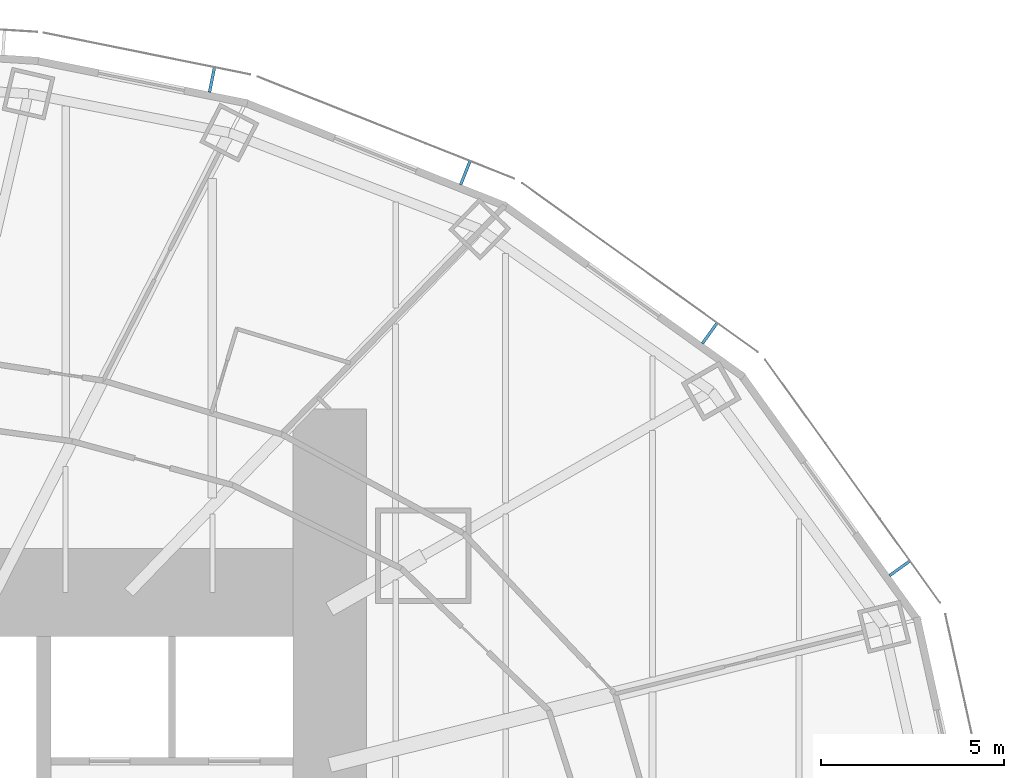
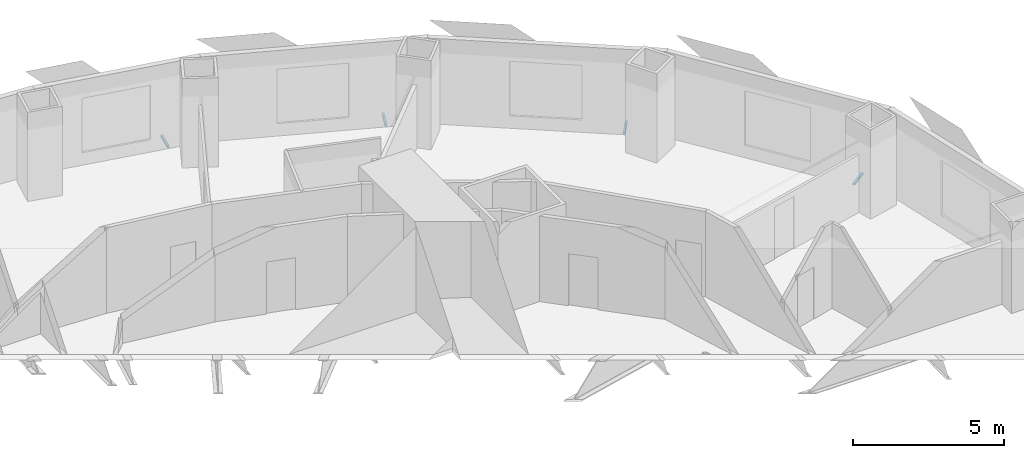
# One storey, part 12 of 15: 4 discrete accessories.
"""IFC4 building model written with IfcOpenShell, lengths in metres."""

import ifcopenshell
import ifcopenshell.guid

model = None  # the IFC model being written
_history = None  # IfcOwnerHistory: only IFC2X3 demands one
_inside = {}  # id of a spatial element -> (the spatial element, [elements in it])
_under = {}  # id of a project, library or spatial element -> (it, [spatial elements below it])
_declared = {}  # id of a project -> (the project, [libraries it declares])
_typed = {}  # id of a type object -> (the type object, [elements of that type])
_made_of = {}  # id of a material, layer set ... -> (it, [elements and type objects made of it])


def new_model(schema):
    """Start an empty IFC model of exactly this schema.

    Asked for "IFC4X3", IfcOpenShell would pick the latest addendum, in which some entities
    have other attributes; the version numbers below select the first issue.
    IFC2X3 requires an IfcOwnerHistory on every rooted entity: one is made here for all.
    """
    global model, _history
    if schema == "IFC4X3":
        model = ifcopenshell.file(schema_version=(4, 3, 0, 0))
    else:
        model = ifcopenshell.file(schema=schema)
    _inside.clear()
    _under.clear()
    _declared.clear()
    _typed.clear()
    _made_of.clear()
    _history = None
    if model.schema == "IFC2X3":
        org = make("IfcOrganization", Name="unknown")
        user = make(
            "IfcPersonAndOrganization",
            ThePerson=make("IfcPerson", FamilyName="unknown"),
            TheOrganization=org,
        )
        app = make(
            "IfcApplication",
            ApplicationDeveloper=org,
            Version="unknown",
            ApplicationFullName="unknown",
            ApplicationIdentifier="unknown",
        )
        _history = make(
            "IfcOwnerHistory",
            OwningUser=user,
            OwningApplication=app,
            ChangeAction="ADDED",
            CreationDate=0,
        )
    return model


def make(cls, **values):
    """One entity of the class cls with the attributes given. An attribute that is None is left unset."""
    return model.create_entity(
        cls, **{name: value for name, value in values.items() if value is not None}
    )


def rooted(cls, **values):
    """An entity with a GlobalId (a new one), such as an element, a storey or a relation."""
    return make(cls, GlobalId=ifcopenshell.guid.new(), OwnerHistory=_history, **values)


def si_unit(unit_type, name, prefix=None):
    """IfcSIUnit, for example si_unit("LENGTHUNIT", "METRE", prefix="MILLI")."""
    return make("IfcSIUnit", UnitType=unit_type, Prefix=prefix, Name=name)


def assignment(units):
    """IfcUnitAssignment: the units of a project."""
    return None if units is None else make("IfcUnitAssignment", Units=units)


def point(xyz):
    """IfcCartesianPoint."""
    return None if xyz is None else make("IfcCartesianPoint", Coordinates=xyz)


def direction(xyz):
    """IfcDirection."""
    return None if xyz is None else make("IfcDirection", DirectionRatios=xyz)


def frame(location, z_axis=None, x_axis=None):
    """IfcAxis2Placement3D, a coordinate frame: its origin and axes. An axis left out is left unset."""
    return make(
        "IfcAxis2Placement3D",
        Location=point(location),
        Axis=direction(z_axis),
        RefDirection=direction(x_axis),
    )


def frame_2d(location, x_axis=None):
    """IfcAxis2Placement2D, a coordinate frame in the plane: its origin and x axis."""
    return make(
        "IfcAxis2Placement2D", Location=point(location), RefDirection=direction(x_axis)
    )


def origin():
    """The frame at (0, 0, 0) with its axes left unset."""
    return frame((0.0, 0.0, 0.0))


def origin_2d():
    """The frame at (0, 0) in the plane with its x axis left unset."""
    return frame_2d((0.0, 0.0))


def place(relative_to, where):
    """IfcLocalPlacement: puts the frame where relative to a parent placement (None: the world)."""
    return make(
        "IfcLocalPlacement", PlacementRelTo=relative_to, RelativePlacement=where
    )


def context(
    kind, dimensions, precision=None, world=None, true_north=None, identifier=None
):
    """IfcGeometricRepresentationContext, for example the 3D "Model" context."""
    return make(
        "IfcGeometricRepresentationContext",
        ContextIdentifier=identifier,
        ContextType=kind,
        CoordinateSpaceDimension=dimensions,
        Precision=precision,
        WorldCoordinateSystem=world,
        TrueNorth=true_north,
    )


def subcontext(parent, identifier, kind, view, scale=None):
    """IfcGeometricRepresentationSubContext, for example "Body" below "Model"."""
    return make(
        "IfcGeometricRepresentationSubContext",
        ContextIdentifier=identifier,
        ContextType=kind,
        ParentContext=parent,
        TargetScale=scale,
        TargetView=view,
    )


def project(units=None, contexts=None):
    """IfcProject with its units and contexts."""
    return rooted(
        "IfcProject",
        Name="project",
        RepresentationContexts=contexts,
        UnitsInContext=assignment(units),
    )


def spatial(cls, under=None, at=None, **own):
    """A site, building, storey or space (cls), placed at a placement, below another one or the project."""
    s = rooted(cls, ObjectPlacement=at, **own)
    if under is not None:
        _under.setdefault(under.id(), (under, []))[1].append(s)
    return s


def profile(cls, at=None, kind="AREA", **sizes):
    """A parametric profile (cls). Its sizes go by their IFC names, for example OverallWidth=200.0."""
    return make(cls, ProfileType=kind, Position=at, **sizes)


def rectangle(**sizes):
    """IfcRectangleProfileDef."""
    return profile("IfcRectangleProfileDef", **sizes)


def extrude(swept, where, along, depth):
    """IfcExtrudedAreaSolid: the profile swept, set in the frame where, extruded along a direction by depth."""
    return make(
        "IfcExtrudedAreaSolid",
        SweptArea=swept,
        Position=where,
        ExtrudedDirection=direction(along),
        Depth=depth,
    )


def shape(context_of_items, identifier, shape_type, items):
    """IfcShapeRepresentation: the items that make up one representation, for example the "Body"."""
    return make(
        "IfcShapeRepresentation",
        ContextOfItems=context_of_items,
        RepresentationIdentifier=identifier,
        RepresentationType=shape_type,
        Items=items,
    )


def made_of(thing, what):
    """Note that an element or type object is made of a material, layer set ...; save() writes the relation."""
    if what is not None:
        _made_of.setdefault(what.id(), (what, []))[1].append(thing)
    return thing


def element(
    cls,
    number,
    at=None,
    inside=None,
    cuts=None,
    type_object=None,
    material=None,
    context=None,
    identifier="Body",
    shape_type=None,
    held_by="IfcProductDefinitionShape",
    body=None,
    shapes=None,
    **own,
):
    """One element of the class cls, such as IfcWall. Its Tag is "e" and its number.

    at: its placement. inside: the storey or other place that contains it. cuts: it is an
    opening in that element (IfcRelVoidsElement). A single representation is given by context,
    identifier, shape_type and body (its items); several are given by shapes. held_by: the class
    of the entity that holds the representations. save() writes the other relations.
    """
    e = rooted(cls, Tag="e%d" % number, ObjectPlacement=at, **own)
    if body is not None:
        shapes = [shape(context, identifier, shape_type, body)]
    if shapes is not None:
        e.Representation = make(held_by, Representations=shapes)
    if inside is not None:
        _inside.setdefault(inside.id(), (inside, []))[1].append(e)
    if cuts is not None:
        rooted(
            "IfcRelVoidsElement", RelatingBuildingElement=cuts, RelatedOpeningElement=e
        )
    if type_object is not None:
        _typed.setdefault(type_object.id(), (type_object, []))[1].append(e)
    return made_of(e, material)


def aggregate(whole, parts):
    """IfcRelAggregates: a whole, such as a stair, and the parts it consists of."""
    return rooted("IfcRelAggregates", RelatingObject=whole, RelatedObjects=parts)


def save(model, path):
    """Write the relations noted so far, then the file.

    IfcRelAggregates (storeys below a building ...), IfcRelContainedInSpatialStructure (elements
    in a storey), IfcRelDefinesByType, IfcRelAssociatesMaterial and IfcRelDeclares: one each for
    every whole, place, type object, material and project.
    """
    for whole, parts in _under.values():
        aggregate(whole, parts)
    for where, things in _inside.values():
        rooted(
            "IfcRelContainedInSpatialStructure",
            RelatedElements=things,
            RelatingStructure=where,
        )
    for kind, things in _typed.values():
        rooted("IfcRelDefinesByType", RelatedObjects=things, RelatingType=kind)
    for what, things in _made_of.values():
        rooted("IfcRelAssociatesMaterial", RelatedObjects=things, RelatingMaterial=what)
    for by, libraries in _declared.values():
        rooted("IfcRelDeclares", RelatingContext=by, RelatedDefinitions=libraries)
    model.write(path)


model = new_model("IFC4")

# Units and contexts
model_context = context("Model", 3, precision=1e-05, world=origin(), true_north=direction((0.0, 1.0)))
body_context = subcontext(model_context, "Body", "Model", "MODEL_VIEW")
ifc_project = project(units=[si_unit("LENGTHUNIT", "METRE"), si_unit("AREAUNIT", "SQUARE_METRE"), si_unit("VOLUMEUNIT", "CUBIC_METRE"), si_unit("PLANEANGLEUNIT", "RADIAN"), si_unit("MASSUNIT", "GRAM", prefix="KILO")], contexts=[model_context])

# Site, building, storey
site_placement = place(None, origin())
site = spatial("IfcSite", under=ifc_project, at=site_placement, CompositionType="ELEMENT")
building_placement = place(site_placement, origin())
building = spatial("IfcBuilding", under=site, at=building_placement, Name="Lantaw Convention Tower", CompositionType="ELEMENT")
storey_placement = place(building_placement, frame((0.0, 0.0, 44.199951171875)))
storey = spatial("IfcBuildingStorey", under=building, at=storey_placement, Name="L08", CompositionType="ELEMENT", Elevation=44.199951171875)

# Discrete accessories
for number, where, z_axis, x_axis, name in (
    (1, (28.745849609375, 8.65869140625, -0.114990234375), (0.0, 0.0, 1.0), (-0.583951250436, 0.811788726895, 0.0), "Screen bracket"),
    (2, (23.564453125, 15.06640625, -0.114990234375), (0.0, 0.0, 1.0), (-0.812803733199, 0.5825376308, 0.0), "Screen bracket"),
    (3, (16.898193359375, 19.4345703125, -0.114990234375), (0.0, 0.0, 1.0), (-0.929361152748, 0.369171840425, 0.0), "Screen bracket"),
    (4, (9.990478515625, 21.974365234375, -0.114990234375), (0.0, 0.0, 1.0), (-0.980244604501, 0.197789067813, 0.0), "Screen bracket"),
):
    element("IfcDiscreteAccessory", number, at=place(storey_placement, frame(where, z_axis=z_axis, x_axis=x_axis)), inside=storey, Name=name, PredefinedType="BRACKET", context=body_context, shape_type="SweptSolid", body=[
        extrude(rectangle(XDim=0.080078125, YDim=0.68798828125, at=origin_2d()), origin(), (0.0, 0.0, 1.0), 0.080078125),
    ])

save(model, "model.ifc")
